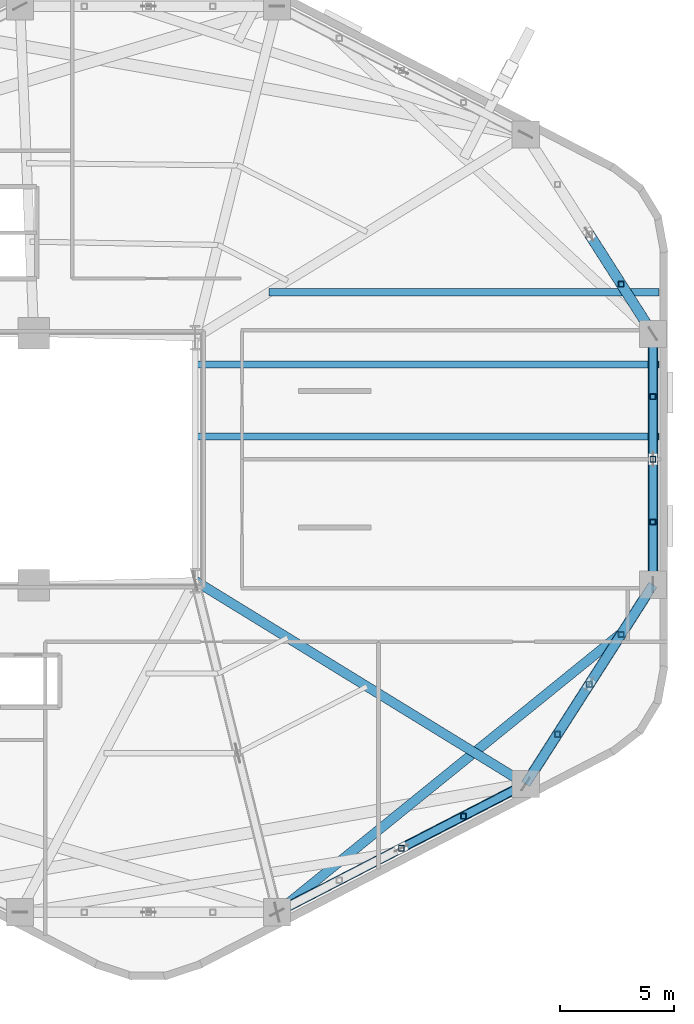
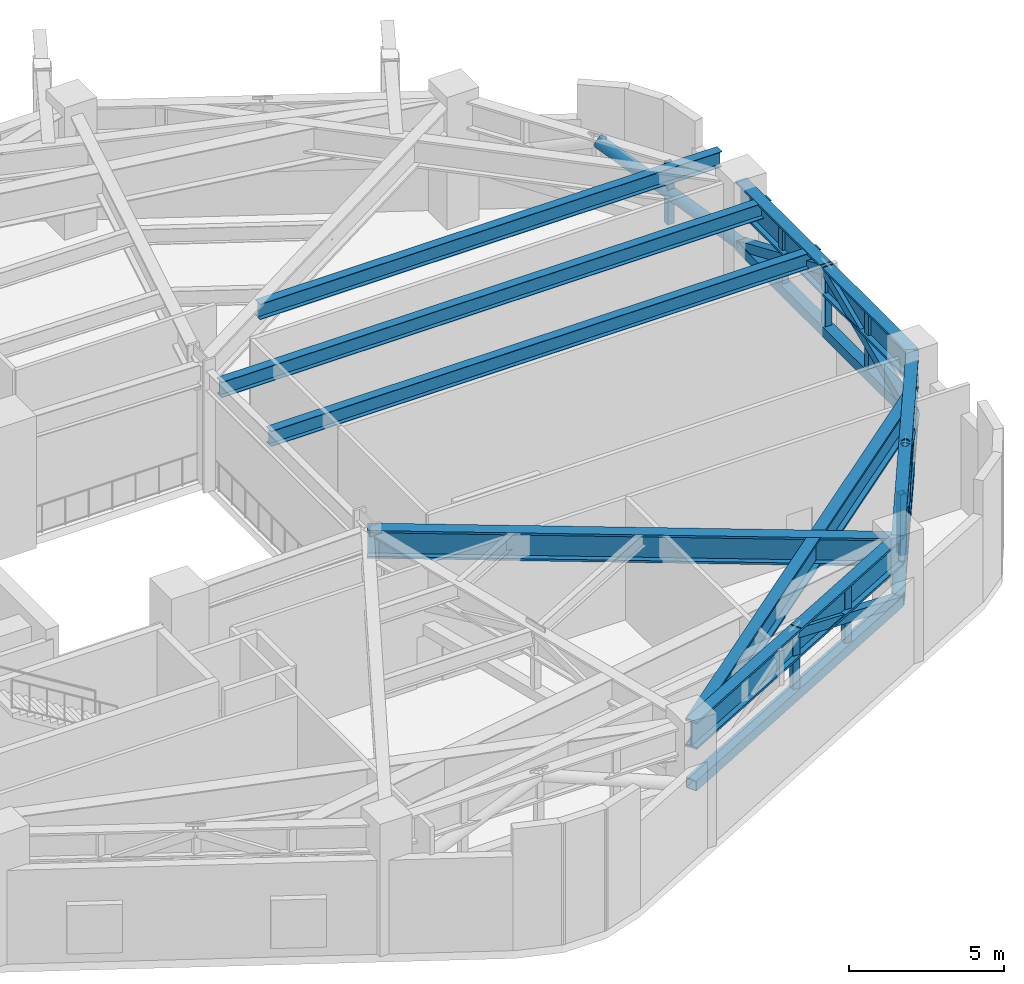
# One storey, part 4 of 14: 18 members, 8 beams.
"""IFC4 building model written with IfcOpenShell, lengths in metres."""

from ifc_helpers import new_model, si_unit, direction, frame, origin, origin_2d, place, context, subcontext, project, spatial, hollow_rectangle, hollow_circle, i_section, extrude, material, material_profile, profile_set, type_object, element, save


model = new_model("IFC4")

# Units and contexts
model_context = context("Model", 3, precision=1e-05, world=origin(), true_north=direction((0.0, 1.0)))
body_context = subcontext(model_context, "Body", "Model", "MODEL_VIEW")
ifc_project = project(units=[si_unit("LENGTHUNIT", "METRE"), si_unit("AREAUNIT", "SQUARE_METRE"), si_unit("VOLUMEUNIT", "CUBIC_METRE"), si_unit("PLANEANGLEUNIT", "RADIAN"), si_unit("MASSUNIT", "GRAM", prefix="KILO"), si_unit("THERMODYNAMICTEMPERATUREUNIT", "KELVIN"), si_unit("POWERUNIT", "WATT")], contexts=[model_context])

# Site, building, storey
site_placement = place(None, origin())
site = spatial("IfcSite", under=ifc_project, at=site_placement, CompositionType="ELEMENT")
building_placement = place(site_placement, origin())
building = spatial("IfcBuilding", under=site, at=building_placement, Name="Skarre Station Tower", CompositionType="ELEMENT")
storey_placement = place(building_placement, frame((0.0, 0.0, 96.35009765625)))
storey = spatial("IfcBuildingStorey", under=building, at=storey_placement, Name="L25", CompositionType="ELEMENT", Elevation=96.35009765625)

# Beams
ifc_material_1 = material(Name="Steel ASTM A992 Grade 50", Category="steel")
ifc_material_profile_1 = material_profile(ifc_material_1, i_section(OverallWidth=0.323974609375, OverallDepth=0.611083984375, WebThickness=0.012939453125, FlangeThickness=0.01904296875, at=origin_2d()), Name="Steel ASTM A992 Grade 50")
ifc_profile_set_1 = profile_set([ifc_material_profile_1], Name="Steel ASTM A992 Grade 50")
beam_type_1 = type_object("IfcBeamType", Name="Steel Beam W24X104", PredefinedType="BEAM", material=ifc_profile_set_1)
beam_1_placement = place(storey_placement, frame((39.449951171875, 28.176025390625, 4.469970703125), z_axis=(1.0, 0.0, 0.0), x_axis=(0.0, 1.0, 0.0)))
element("IfcBeam", 1, at=beam_1_placement, inside=storey, type_object=beam_type_1, Name="L25 SG-1-L26 Center Outrigger Beam", PredefinedType="BEAM", context=body_context, shape_type="SweptSolid", body=[
    extrude(i_section(OverallWidth=0.323974609375, OverallDepth=0.611083984375, WebThickness=0.012939453125, FlangeThickness=0.01904296875, at=origin_2d()), origin(), (0.0, 0.0, 1.0), 20.427978515625),
])
beam_2_placement = place(storey_placement, frame((42.7041015625, 31.35009765625, 4.469970703125), z_axis=(1.0, 0.0, 0.0), x_axis=(0.0, 1.0, 0.0)))
element("IfcBeam", 2, at=beam_2_placement, inside=storey, type_object=beam_type_1, Name="L25 SG-1-L26 Outrigger Beam 1", PredefinedType="BEAM", context=body_context, shape_type="SweptSolid", body=[
    extrude(i_section(OverallWidth=0.323974609375, OverallDepth=0.611083984375, WebThickness=0.012939453125, FlangeThickness=0.01904296875, at=origin_2d()), origin(), (0.0, 0.0, 1.0), 17.173828125),
])
beam_3_placement = place(storey_placement, frame((39.449951171875, 25.001953125, 4.469970703125), z_axis=(1.0, 0.0, 0.0), x_axis=(0.0, 1.0, 0.0)))
element("IfcBeam", 3, at=beam_3_placement, inside=storey, type_object=beam_type_1, Name="L25 SG-1-L26 Outrigger Beam 2", PredefinedType="BEAM", context=body_context, shape_type="SweptSolid", body=[
    extrude(i_section(OverallWidth=0.323974609375, OverallDepth=0.611083984375, WebThickness=0.012939453125, FlangeThickness=0.01904296875, at=origin_2d()), origin(), (0.0, 0.0, 1.0), 20.427978515625),
])
ifc_material_2 = material(Name="Steel ASTM A913 Grade 65", Category="steel")
ifc_material_profile_2 = material_profile(ifc_material_2, i_section(OverallWidth=0.424072265625, OverallDepth=1.092041015625, WebThickness=0.044921875, FlangeThickness=0.08203125, at=origin_2d()), Name="Steel ASTM A913 Grade 65")
ifc_profile_set_2 = profile_set([ifc_material_profile_2], Name="Steel ASTM A913 Grade 65")
beam_type_2 = type_object("IfcBeamType", Name="Steel Heavy Spandrel W40X593", PredefinedType="SPANDREL", material=ifc_profile_set_2)
beam_4_placement = place(storey_placement, frame((43.06005859375, 4.052978515625, 4.23388671875), z_axis=(0.888658695823, 0.458569212158, 0.0), x_axis=(-0.458569212158, 0.888658695823, 0.0)))
element("IfcBeam", 4, at=beam_4_placement, inside=storey, type_object=beam_type_2, Name="L25 Facet Spandrel Beam 9", PredefinedType="SPANDREL", context=body_context, shape_type="SweptSolid", body=[
    extrude(i_section(OverallWidth=0.424072265625, OverallDepth=1.092041015625, WebThickness=0.044921875, FlangeThickness=0.08203125, at=origin_2d()), origin(), (0.0, 0.0, 1.0), 12.318603515625),
])
beam_5_placement = place(storey_placement, frame((54.007080078125, 9.701904296875, 4.23388671875), z_axis=(0.538277829225, 0.842767452246, 0.0), x_axis=(-0.842767452246, 0.538277829225, 0.0)))
element("IfcBeam", 5, at=beam_5_placement, inside=storey, type_object=beam_type_2, Name="L25 Facet Spandrel Beam 10", PredefinedType="SPANDREL", context=body_context, shape_type="SweptSolid", body=[
    extrude(i_section(OverallWidth=0.424072265625, OverallDepth=1.092041015625, WebThickness=0.044921875, FlangeThickness=0.08203125, at=origin_2d()), origin(), (0.0, 0.0, 1.0), 10.41455078125),
])
beam_6_placement = place(storey_placement, frame((59.613037109375, 18.47900390625, 4.23388671875), z_axis=(0.0, 1.0, 0.0), x_axis=(-1.0, 0.0, 0.0)))
element("IfcBeam", 6, at=beam_6_placement, inside=storey, type_object=beam_type_2, Name="L25 Facet Spandrel Beam 11", PredefinedType="SPANDREL", context=body_context, shape_type="SweptSolid", body=[
    extrude(i_section(OverallWidth=0.424072265625, OverallDepth=1.092041015625, WebThickness=0.044921875, FlangeThickness=0.08203125, at=origin_2d()), origin(), (0.0, 0.0, 1.0), 11.0419921875),
])
ifc_material_profile_3 = material_profile(ifc_material_2, i_section(OverallWidth=0.424072265625, OverallDepth=1.092041015625, WebThickness=0.044921875, FlangeThickness=0.08203125, at=origin_2d()), Name="Steel ASTM A913 Grade 65")
ifc_profile_set_3 = profile_set([ifc_material_profile_3], Name="Steel ASTM A913 Grade 65")
beam_type_3 = type_object("IfcBeamType", Name="Steel Medium-Span Transfer Girder W40X593", PredefinedType="USERDEFINED", material=ifc_profile_set_3)
beam_7_placement = place(storey_placement, frame((43.06005859375, 4.052978515625, 4.23388671875), z_axis=(0.776921891813, 0.62959699334, 0.0), x_axis=(-0.62959699334, 0.776921891813, 0.0)))
element("IfcBeam", 7, at=beam_7_placement, inside=storey, type_object=beam_type_3, Name="L25 Setback Perimeter Transfer Girder F4C2", ObjectType="TRANSFER_GIRDER", PredefinedType="USERDEFINED", context=body_context, shape_type="SweptSolid", body=[
    extrude(i_section(OverallWidth=0.424072265625, OverallDepth=1.092041015625, WebThickness=0.044921875, FlangeThickness=0.08203125, at=origin_2d()), origin(), (0.0, 0.0, 1.0), 19.5810546875),
])
beam_8_placement = place(storey_placement, frame((39.449951171875, 18.64990234375, 4.23388671875), z_axis=(0.851925565957, -0.523662897358, 0.0), x_axis=(0.523662897358, 0.851925565957, 0.0)))
element("IfcBeam", 8, at=beam_8_placement, inside=storey, type_object=beam_type_3, Name="L25 Radial Floor Girder F4C2", ObjectType="TRANSFER_GIRDER", PredefinedType="USERDEFINED", context=body_context, shape_type="SweptSolid", body=[
    extrude(i_section(OverallWidth=0.424072265625, OverallDepth=1.092041015625, WebThickness=0.044921875, FlangeThickness=0.08203125, at=origin_2d()), origin(), (0.0, 0.0, 1.0), 17.08740234375),
])

# Members
ifc_material_3 = material(Name="Steel ASTM A500 Grade C", Category="steel")
ifc_material_profile_4 = material_profile(ifc_material_3, hollow_circle(Radius=0.228515625, WallThickness=0.02001953125, at=origin_2d()), Name="Steel ASTM A500 Grade C")
ifc_profile_set_4 = profile_set([ifc_material_profile_4], Name="Steel ASTM A500 Grade C")
member_type_1 = type_object("IfcMemberType", Name="Steel Truss Brace CHS457X20", PredefinedType="BRACE", material=ifc_profile_set_4)
member_1_placement = place(storey_placement, frame((54.007080078125, 9.701904296875, 2.25), z_axis=(0.489595309643, 0.766482544685, 0.415693326226), x_axis=(-0.842747073867, 0.538309733786, 0.0)))
element("IfcMember", 9, at=member_1_placement, inside=storey, type_object=member_type_1, Name="L25 Belt Truss Chevron Diagonal 10A", PredefinedType="BRACE", context=body_context, shape_type="SweptSolid", body=[
    extrude(hollow_circle(Radius=0.228515625, WallThickness=0.02001953125, at=origin_2d()), origin(), (0.0, 0.0, 1.0), 5.72509765625),
])
for number, where, z_axis, x_axis, name in (
    (10, (59.613037109375, 18.47900390625, 2.25), (-0.48954730418, -0.766535309401, 0.415652566949), (0.842787827001, -0.538245927674, 0.0), "L25 Belt Truss Chevron Diagonal 10B"),
    (11, (59.613037109375, 29.52099609375, 2.25), (-0.48954730418, 0.766535309401, 0.415652566949), (-0.842787827001, -0.538245927674, 0.0), "L25 Belt Truss Chevron Diagonal 12A"),
):
    element("IfcMember", number, at=place(storey_placement, frame(where, z_axis=z_axis, x_axis=x_axis)), inside=storey, type_object=member_type_1, Name=name, PredefinedType="BRACE", context=body_context, shape_type="SweptSolid", body=[
        extrude(hollow_circle(Radius=0.228515625, WallThickness=0.02001953125, at=origin_2d()), origin(), (0.0, 0.0, 1.0), 5.7255859375),
    ])
ifc_material_profile_5 = material_profile(ifc_material_3, hollow_rectangle(XDim=0.35009765625, YDim=0.35009765625, WallThickness=0.02001953125, at=origin_2d()), Name="Steel ASTM A500 Grade C")
ifc_profile_set_5 = profile_set([ifc_material_profile_5], Name="Steel ASTM A500 Grade C")
member_type_2 = type_object("IfcMemberType", Name="Steel Truss Brace HSS350X350X20", PredefinedType="BRACE", material=ifc_profile_set_5)
member_2_placement = place(storey_placement, frame((54.007080078125, 9.701904296875, 2.25), z_axis=(-0.828888569299, -0.427828960449, 0.360424916296), x_axis=(0.458656045669, -0.888613882275, 0.0)))
element("IfcMember", 12, at=member_2_placement, inside=storey, type_object=member_type_2, Name="L25 Belt Truss Chevron Diagonal 9B", PredefinedType="BRACE", context=body_context, shape_type="SweptSolid", body=[
    extrude(hollow_rectangle(XDim=0.35009765625, YDim=0.35009765625, WallThickness=0.02001953125, at=origin_2d()), origin(), (0.0, 0.0, 1.0), 6.60302734375),
])
for number, where, z_axis, x_axis, name in (
    (13, (59.613037109375, 18.47900390625, 2.25), (0.0, 0.918315433094, 0.395849422561), (-1.0, 0.0, 0.0), "L25 Belt Truss Chevron Diagonal 11A"),
    (14, (59.613037109375, 29.52099609375, 2.25), (0.0, -0.918315433094, 0.395849422561), (1.0, 0.0, 0.0), "L25 Belt Truss Chevron Diagonal 11B"),
):
    element("IfcMember", number, at=place(storey_placement, frame(where, z_axis=z_axis, x_axis=x_axis)), inside=storey, type_object=member_type_2, Name=name, PredefinedType="BRACE", context=body_context, shape_type="SweptSolid", body=[
        extrude(hollow_rectangle(XDim=0.35009765625, YDim=0.35009765625, WallThickness=0.02001953125, at=origin_2d()), origin(), (0.0, 0.0, 1.0), 6.01220703125),
    ])
ifc_material_profile_6 = material_profile(ifc_material_3, hollow_rectangle(XDim=0.39990234375, YDim=0.39990234375, WallThickness=0.02197265625, at=origin_2d()), Name="Steel ASTM A500 Grade C")
ifc_profile_set_6 = profile_set([ifc_material_profile_6], Name="Steel ASTM A500 Grade C")
member_type_3 = type_object("IfcMemberType", Name="Steel Truss Chord HSS400X400X22", PredefinedType="CHORD", material=ifc_profile_set_6)
member_3_placement = place(storey_placement, frame((43.06005859375, 4.052978515625, 2.25), z_axis=(0.888658695823, 0.458569212158, 0.0), x_axis=(-0.458569212158, 0.888658695823, 0.0)))
element("IfcMember", 15, at=member_3_placement, inside=storey, type_object=member_type_3, Name="L25 Belt Truss Bottom Chord 9", PredefinedType="CHORD", context=body_context, shape_type="SweptSolid", body=[
    extrude(hollow_rectangle(XDim=0.39990234375, YDim=0.39990234375, WallThickness=0.02197265625, at=origin_2d()), origin(), (0.0, 0.0, 1.0), 12.318603515625),
])
member_4_placement = place(storey_placement, frame((54.007080078125, 9.701904296875, 2.25), z_axis=(0.538277829225, 0.842767452246, 0.0), x_axis=(-0.842767452246, 0.538277829225, 0.0)))
element("IfcMember", 16, at=member_4_placement, inside=storey, type_object=member_type_3, Name="L25 Belt Truss Bottom Chord 10", PredefinedType="CHORD", context=body_context, shape_type="SweptSolid", body=[
    extrude(hollow_rectangle(XDim=0.39990234375, YDim=0.39990234375, WallThickness=0.02197265625, at=origin_2d()), origin(), (0.0, 0.0, 1.0), 10.41455078125),
])
member_5_placement = place(storey_placement, frame((59.613037109375, 18.47900390625, 2.25), z_axis=(0.0, 1.0, 0.0), x_axis=(-1.0, 0.0, 0.0)))
element("IfcMember", 17, at=member_5_placement, inside=storey, type_object=member_type_3, Name="L25 Belt Truss Bottom Chord 11", PredefinedType="CHORD", context=body_context, shape_type="SweptSolid", body=[
    extrude(hollow_rectangle(XDim=0.39990234375, YDim=0.39990234375, WallThickness=0.02197265625, at=origin_2d()), origin(), (0.0, 0.0, 1.0), 11.0419921875),
])
ifc_material_profile_7 = material_profile(ifc_material_3, hollow_rectangle(XDim=0.25, YDim=0.25, WallThickness=0.01611328125, at=origin_2d()), Name="Steel ASTM A500 Grade C")
ifc_profile_set_7 = profile_set([ifc_material_profile_7], Name="Steel ASTM A500 Grade C")
member_type_4 = type_object("IfcMemberType", Name="Steel Truss Strut HSS250X250X16", PredefinedType="STRUT", material=ifc_profile_set_7)
for number, where, z_axis, x_axis, name in (
    (18, (48.533935546875, 6.876953125, 2.25), (0.0, 0.0, 1.0), (1.0, 0.0, 0.0), "L25 Belt Truss Web Post 9-2"),
    (19, (51.27001953125, 8.2900390625, 2.25), (0.0, 0.0, 1.0), (1.0, 0.0, 0.0), "L25 Belt Truss Web Post 9-3"),
    (20, (55.408935546875, 11.89599609375, 2.25), (0.0, 0.0, 1.0), (1.0, 0.0, 0.0), "L25 Belt Truss Web Post 10-1"),
    (21, (56.81005859375, 14.090087890625, 2.25), (0.0, 0.0, 1.0), (1.0, 0.0, 0.0), "L25 Belt Truss Web Post 10-2"),
    (22, (58.2119140625, 16.284912109375, 2.25), (0.0, 0.0, 1.0), (1.0, 0.0, 0.0), "L25 Belt Truss Web Post 10-3"),
    (23, (59.613037109375, 21.239013671875, 2.25), (0.0, 0.0, 1.0), (1.0, 0.0, 0.0), "L25 Belt Truss Web Post 11-1"),
    (24, (59.613037109375, 24.0, 2.25), (0.0, 0.0, 1.0), (1.0, 0.0, 0.0), "L25 Belt Truss Web Post 11-2"),
    (25, (59.613037109375, 26.760986328125, 2.25), (0.0, 0.0, 1.0), (1.0, 0.0, 0.0), "L25 Belt Truss Web Post 11-3"),
    (26, (58.2119140625, 31.715087890625, 2.25), (0.0, 0.0, 1.0), (1.0, 0.0, 0.0), "L25 Belt Truss Web Post 12-1"),
):
    element("IfcMember", number, at=place(storey_placement, frame(where, z_axis=z_axis, x_axis=x_axis)), inside=storey, type_object=member_type_4, Name=name, PredefinedType="STRUT", context=body_context, shape_type="SweptSolid", body=[
        extrude(hollow_rectangle(XDim=0.25, YDim=0.25, WallThickness=0.01611328125, at=origin_2d()), origin(), (0.0, 0.0, 1.0), 2.3798828125),
    ])

save(model, "model.ifc")
